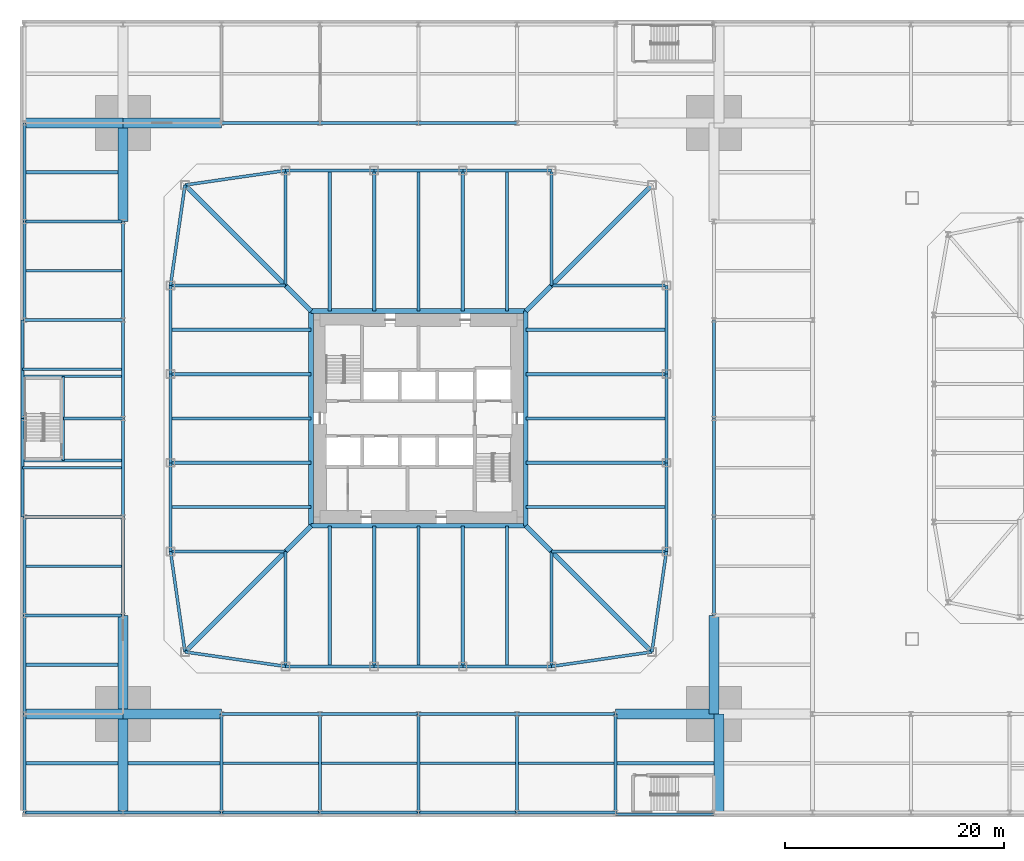
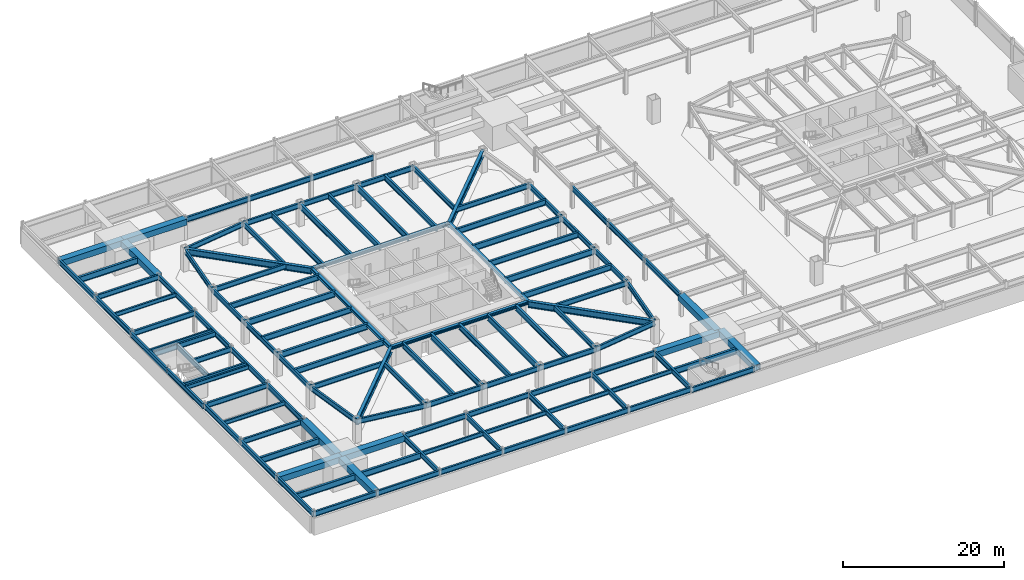
# One storey, part 6 of 17: 118 beams.
"""IFC4 building model written with IfcOpenShell, lengths in metres."""

from ifc_helpers import new_model, si_unit, direction, frame, origin, origin_2d, place, context, subcontext, project, spatial, hollow_rectangle, i_section, extrude, material, material_profile, profile_set, type_object, element, save


model = new_model("IFC4")

# Units and contexts
model_context = context("Model", 3, precision=1e-05, world=origin(), true_north=direction((0.0, 1.0)))
body_context = subcontext(model_context, "Body", "Model", "MODEL_VIEW")
ifc_project = project(units=[si_unit("LENGTHUNIT", "METRE"), si_unit("AREAUNIT", "SQUARE_METRE"), si_unit("VOLUMEUNIT", "CUBIC_METRE"), si_unit("PLANEANGLEUNIT", "RADIAN"), si_unit("MASSUNIT", "GRAM", prefix="KILO")], contexts=[model_context])

# Site, building, storey
site_placement = place(None, origin())
site = spatial("IfcSite", under=ifc_project, at=site_placement, CompositionType="ELEMENT")
building_placement = place(site_placement, origin())
building = spatial("IfcBuilding", under=site, at=building_placement, Name="Iwan Alto Co-Living Towers", CompositionType="ELEMENT")
storey_placement = place(building_placement, frame((0.0, 0.0, -3.60009765625)))
storey = spatial("IfcBuildingStorey", under=building, at=storey_placement, Name="B1", CompositionType="ELEMENT", Elevation=-3.60009765625)

# Beams
ifc_material_1 = material(Name="Steel ASTM A992 Gr 50", Category="steel")
ifc_material_profile_1 = material_profile(ifc_material_1, i_section(OverallWidth=0.2666015625, OverallDepth=0.76953125, WebThickness=0.015625, FlangeThickness=0.025390625, at=origin_2d()), Name="W30X132")
ifc_profile_set_1 = profile_set([ifc_material_profile_1], Name="Steel ASTM A992 Gr 50")
beam_type_1 = type_object("IfcBeamType", Name="PODIUM BEAM W30X132", PredefinedType="BEAM", material=ifc_profile_set_1)
beam_1_placement = place(storey_placement, frame((-27.0, 0.0, 2.96533203125), z_axis=(-1.0, 0.0, 0.0), x_axis=(0.0, -1.0, 0.0)))
element("IfcBeam", 1, at=beam_1_placement, inside=storey, type_object=beam_type_1, Name="Podium beam 2/E to stair header L00", PredefinedType="BEAM", context=body_context, shape_type="SweptSolid", body=[
    extrude(i_section(OverallWidth=0.2666015625, OverallDepth=0.76953125, WebThickness=0.015625, FlangeThickness=0.025390625, at=origin_2d()), origin(), (0.0, 0.0, 1.0), 5.446533203125),
])
ifc_material_2 = material(Name="Steel ASTM A992 Gr 50", Category="steel")
ifc_material_profile_2 = material_profile(ifc_material_2, i_section(OverallWidth=0.2666015625, OverallDepth=0.76953125, WebThickness=0.015625, FlangeThickness=0.025390625, at=origin_2d()), Name="W30X132")
ifc_profile_set_2 = profile_set([ifc_material_profile_2], Name="Steel ASTM A992 Gr 50")
beam_type_2 = type_object("IfcBeamType", Name="PODIUM GROUND FLOOR BEAM W30X132", PredefinedType="BEAM", material=ifc_profile_set_2)
for number, where, z_axis, x_axis, name in (
    (2, (-36.0, -36.0, 2.96533203125), (1.0, 0.0, 0.0), (0.0, 1.0, 0.0), "Podium beam 1/A-2/A L00"),
    (3, (-36.0, -36.0, 2.96533203125), (0.0, 1.0, 0.0), (-1.0, 0.0, 0.0), "Podium beam 1/A-1/B L00"),
    (4, (-36.0, -27.0, 2.96533203125), (0.0, 1.0, 0.0), (-1.0, 0.0, 0.0), "Podium beam 1/B-1/C L00"),
    (5, (-36.0, -18.0, 2.96533203125), (1.0, 0.0, 0.0), (0.0, 1.0, 0.0), "Podium beam 1/C-2/C L00"),
    (6, (-36.0, -18.0, 2.96533203125), (0.0, 1.0, 0.0), (-1.0, 0.0, 0.0), "Podium beam 1/C-1/D L00"),
    (7, (-36.0, -9.0, 2.96533203125), (1.0, 0.0, 0.0), (0.0, 1.0, 0.0), "Podium beam 1/D-2/D L00"),
    (8, (-36.1533203125, -9.0, 2.96533203125), (0.0, 1.0, 0.0), (-1.0, 0.0, 0.0), "Podium beam 1/D-1/E L00"),
    (9, (-36.1533203125, 0.0, 2.96533203125), (0.0, 1.0, 0.0), (-1.0, 0.0, 0.0), "Podium beam 1/E-1/F L00"),
    (10, (-36.0, 9.0, 2.96533203125), (1.0, 0.0, 0.0), (0.0, 1.0, 0.0), "Podium beam 1/F-2/F L00"),
    (11, (-36.0, 9.0, 2.96533203125), (0.0, 1.0, 0.0), (-1.0, 0.0, 0.0), "Podium beam 1/F-1/G L00"),
    (12, (-36.0, 18.0, 2.96533203125), (1.0, 0.0, 0.0), (0.0, 1.0, 0.0), "Podium beam 1/G-2/G L00"),
    (13, (-36.0, 18.0, 2.96533203125), (0.0, 1.0, 0.0), (-1.0, 0.0, 0.0), "Podium beam 1/G-1/H L00"),
    (14, (-27.0, -36.0, 2.96533203125), (1.0, 0.0, 0.0), (0.0, 1.0, 0.0), "Podium beam 2/A-3/A L00"),
    (15, (-27.0, -18.0, 2.96533203125), (0.0, 1.0, 0.0), (-1.0, 0.0, 0.0), "Podium beam 2/C-2/D L00"),
    (16, (-27.0, -9.0, 2.96533203125), (0.0, 1.0, 0.0), (-1.0, 0.0, 0.0), "Podium beam 2/D-2/E L00"),
    (17, (-27.0, 0.0, 2.96533203125), (0.0, 1.0, 0.0), (-1.0, 0.0, 0.0), "Podium beam 2/E-2/F L00"),
    (18, (-27.0, 9.0, 2.96533203125), (0.0, 1.0, 0.0), (-1.0, 0.0, 0.0), "Podium beam 2/F-2/G L00"),
    (19, (-18.0, -36.0, 2.96533203125), (1.0, 0.0, 0.0), (0.0, 1.0, 0.0), "Podium beam 3/A-4/A L00"),
    (20, (-18.0, -36.0, 2.96533203125), (0.0, 1.0, 0.0), (-1.0, 0.0, 0.0), "Podium beam 3/A-3/B L00"),
    (21, (-18.0, -27.0, 2.96533203125), (1.0, 0.0, 0.0), (0.0, 1.0, 0.0), "Podium beam 3/B-4/B L00"),
    (22, (-18.0, 27.0, 2.96533203125), (1.0, 0.0, 0.0), (0.0, 1.0, 0.0), "Podium beam 3/H-4/H L00"),
    (23, (-9.0, -36.0, 2.96533203125), (1.0, 0.0, 0.0), (0.0, 1.0, 0.0), "Podium beam 4/A-5/A L00"),
    (24, (-9.0, -36.0, 2.96533203125), (0.0, 1.0, 0.0), (-1.0, 0.0, 0.0), "Podium beam 4/A-4/B L00"),
    (25, (-9.0, -27.0, 2.96533203125), (1.0, 0.0, 0.0), (0.0, 1.0, 0.0), "Podium beam 4/B-5/B L00"),
    (26, (-9.0, 27.0, 2.96533203125), (1.0, 0.0, 0.0), (0.0, 1.0, 0.0), "Podium beam 4/H-5/H L00"),
    (27, (0.0, -36.0, 2.96533203125), (1.0, 0.0, 0.0), (0.0, 1.0, 0.0), "Podium beam 5/A-6/A L00"),
    (28, (0.0, -36.0, 2.96533203125), (0.0, 1.0, 0.0), (-1.0, 0.0, 0.0), "Podium beam 5/A-5/B L00"),
    (29, (0.0, -27.0, 2.96533203125), (1.0, 0.0, 0.0), (0.0, 1.0, 0.0), "Podium beam 5/B-6/B L00"),
    (30, (0.0, 27.0, 2.96533203125), (1.0, 0.0, 0.0), (0.0, 1.0, 0.0), "Podium beam 5/H-6/H L00"),
    (31, (9.0, -36.0, 2.96533203125), (1.0, 0.0, 0.0), (0.0, 1.0, 0.0), "Podium beam 6/A-7/A L00"),
    (32, (9.0, -36.0, 2.96533203125), (0.0, 1.0, 0.0), (-1.0, 0.0, 0.0), "Podium beam 6/A-6/B L00"),
    (33, (9.0, -27.0, 2.96533203125), (1.0, 0.0, 0.0), (0.0, 1.0, 0.0), "Podium beam 6/B-7/B L00"),
    (34, (18.0, -36.1533203125, 2.96533203125), (1.0, 0.0, 0.0), (0.0, 1.0, 0.0), "Podium beam 7/A-8/A L00"),
    (35, (18.0, -36.0, 2.96533203125), (0.0, 1.0, 0.0), (-1.0, 0.0, 0.0), "Podium beam 7/A-7/B L00"),
    (36, (27.0, -18.0, 2.96533203125), (0.0, 1.0, 0.0), (-1.0, 0.0, 0.0), "Podium beam 8/C-8/D L00"),
    (37, (27.0, -9.0, 2.96533203125), (0.0, 1.0, 0.0), (-1.0, 0.0, 0.0), "Podium beam 8/D-8/E L00"),
    (38, (27.0, 0.0, 2.96533203125), (0.0, 1.0, 0.0), (-1.0, 0.0, 0.0), "Podium beam 8/E-8/F L00"),
):
    element("IfcBeam", number, at=place(storey_placement, frame(where, z_axis=z_axis, x_axis=x_axis)), inside=storey, type_object=beam_type_2, Name=name, PredefinedType="BEAM", context=body_context, shape_type="SweptSolid", body=[
        extrude(i_section(OverallWidth=0.2666015625, OverallDepth=0.76953125, WebThickness=0.015625, FlangeThickness=0.025390625, at=origin_2d()), origin(), (0.0, 0.0, 1.0), 9.0),
    ])
ifc_material_3 = material(Name="Steel ASTM A992 Gr 50", Category="steel")
ifc_material_profile_3 = material_profile(ifc_material_3, i_section(OverallWidth=0.307373046875, OverallDepth=0.927001953125, WebThickness=0.01953125, FlangeThickness=0.031982421875, at=origin_2d()), Name="W36X194")
ifc_profile_set_3 = profile_set([ifc_material_profile_3], Name="Steel ASTM A992 Gr 50")
beam_type_3 = type_object("IfcBeamType", Name="PODIUM PIER BAY SECONDARY BEAM W36X194", PredefinedType="JOIST", material=ifc_profile_set_3)
for number, where, z_axis, x_axis, name in (
    (39, (-35.86669921875, -31.5, 2.886474609375), (1.0, 0.0, 0.0), (0.0, 1.0, 0.0), "Podium secondary beam 1/A L00"),
    (40, (-35.86669921875, -22.5, 2.886474609375), (1.0, 0.0, 0.0), (0.0, 1.0, 0.0), "Podium secondary beam 1/B L00"),
    (41, (-35.86669921875, 22.5, 2.886474609375), (1.0, 0.0, 0.0), (0.0, 1.0, 0.0), "Podium secondary beam 1/G L00"),
    (42, (-26.550048828125, -31.5, 2.886474609375), (1.0, 0.0, 0.0), (0.0, 1.0, 0.0), "Podium secondary beam 2/A L00"),
):
    element("IfcBeam", number, at=place(storey_placement, frame(where, z_axis=z_axis, x_axis=x_axis)), inside=storey, type_object=beam_type_3, Name=name, PredefinedType="JOIST", context=body_context, shape_type="SweptSolid", body=[
        extrude(i_section(OverallWidth=0.307373046875, OverallDepth=0.927001953125, WebThickness=0.01953125, FlangeThickness=0.031982421875, at=origin_2d()), origin(), (0.0, 0.0, 1.0), 8.416748046875),
    ])
beam_2_placement = place(storey_placement, frame((18.13330078125, -31.5, 2.886474609375), z_axis=(1.0, 0.0, 0.0), x_axis=(0.0, 1.0, 0.0)))
element("IfcBeam", 43, at=beam_2_placement, inside=storey, type_object=beam_type_3, Name="Podium secondary beam 7/A L00", PredefinedType="JOIST", context=body_context, shape_type="SweptSolid", body=[
    extrude(i_section(OverallWidth=0.307373046875, OverallDepth=0.927001953125, WebThickness=0.01953125, FlangeThickness=0.031982421875, at=origin_2d()), origin(), (0.0, 0.0, 1.0), 8.88671875),
])
ifc_material_4 = material(Name="Steel ASTM A572 Gr 50", Category="steel")
ifc_material_profile_4 = material_profile(ifc_material_4, hollow_rectangle(XDim=0.89990234375, YDim=0.89990234375, WallThickness=0.06005859375, at=origin_2d()), Name="BOX 900X900X60")
ifc_profile_set_4 = profile_set([ifc_material_profile_4], Name="Steel ASTM A572 Gr 50")
beam_type_4 = type_object("IfcBeamType", Name="PODIUM PIER BEAM BOX 900X900X60", PredefinedType="BEAM", material=ifc_profile_set_4)
for number, where, z_axis, x_axis, name in (
    (44, (-36.0, -27.0, 2.900146484375), (1.0, 0.0, 0.0), (0.0, 1.0, 0.0), "Podium beam 1/B-2/B L00"),
    (45, (-36.0, 27.0, 2.900146484375), (1.0, 0.0, 0.0), (0.0, 1.0, 0.0), "Podium beam 1/H-2/H L00"),
    (46, (-27.0, -36.0, 2.900146484375), (0.0, 1.0, 0.0), (-1.0, 0.0, 0.0), "Podium beam 2/A-2/B L00"),
    (47, (-27.0, -27.0, 2.900146484375), (1.0, 0.0, 0.0), (0.0, 1.0, 0.0), "Podium beam 2/B-3/B L00"),
    (48, (-27.0, -27.0, 2.900146484375), (0.0, 1.0, 0.0), (-1.0, 0.0, 0.0), "Podium beam 2/B-2/C L00"),
    (49, (-27.0, 18.0, 2.900146484375), (0.0, 1.0, 0.0), (-1.0, 0.0, 0.0), "Podium beam 2/G-2/H L00"),
    (50, (-27.0, 27.0, 2.900146484375), (1.0, 0.0, 0.0), (0.0, 1.0, 0.0), "Podium beam 2/H-3/H L00"),
    (51, (18.0, -27.0, 2.900146484375), (1.0, 0.0, 0.0), (0.0, 1.0, 0.0), "Podium beam 7/B-8/B L00"),
    (52, (27.469970703125, -36.0, 2.900146484375), (0.0, 1.0, 0.0), (-1.0, 0.0, 0.0), "Podium beam 8/A-8/B L00"),
    (53, (27.0, -27.0, 2.900146484375), (0.0, 1.0, 0.0), (-1.0, 0.0, 0.0), "Podium beam 8/B-8/C L00"),
):
    element("IfcBeam", number, at=place(storey_placement, frame(where, z_axis=z_axis, x_axis=x_axis)), inside=storey, type_object=beam_type_4, Name=name, PredefinedType="BEAM", context=body_context, shape_type="SweptSolid", body=[
        extrude(hollow_rectangle(XDim=0.89990234375, YDim=0.89990234375, WallThickness=0.06005859375, at=origin_2d()), origin(), (0.0, 0.0, 1.0), 9.0),
    ])
ifc_material_5 = material(Name="Steel ASTM A992 Gr 50", Category="steel")
ifc_material_profile_5 = material_profile(ifc_material_5, i_section(OverallWidth=0.23046875, OverallDepth=0.6171875, WebThickness=0.01318359375, FlangeThickness=0.022216796875, at=origin_2d()), Name="W24X94")
ifc_profile_set_5 = profile_set([ifc_material_profile_5], Name="Steel ASTM A992 Gr 50")
beam_type_5 = type_object("IfcBeamType", Name="PODIUM SECONDARY BEAM W24X94", PredefinedType="JOIST", material=ifc_profile_set_5)
beam_3_placement = place(storey_placement, frame((-35.86669921875, -13.5, 3.04150390625), z_axis=(1.0, 0.0, 0.0), x_axis=(0.0, 1.0, 0.0)))
element("IfcBeam", 54, at=beam_3_placement, inside=storey, type_object=beam_type_5, Name="Podium secondary beam 1/C L00", PredefinedType="JOIST", context=body_context, shape_type="SweptSolid", body=[
    extrude(i_section(OverallWidth=0.23046875, OverallDepth=0.6171875, WebThickness=0.01318359375, FlangeThickness=0.022216796875, at=origin_2d()), origin(), (0.0, 0.0, 1.0), 8.7333984375),
])
for number, where, z_axis, x_axis, name in (
    (55, (-36.1533203125, -4.5, 3.04150390625), (1.0, 0.0, 0.0), (0.0, 1.0, 0.0), "Podium secondary beam 1/D L00"),
    (56, (-36.1533203125, 4.5, 3.04150390625), (1.0, 0.0, 0.0), (0.0, 1.0, 0.0), "Podium secondary beam 1/E L00"),
):
    element("IfcBeam", number, at=place(storey_placement, frame(where, z_axis=z_axis, x_axis=x_axis)), inside=storey, type_object=beam_type_5, Name=name, PredefinedType="JOIST", context=body_context, shape_type="SweptSolid", body=[
        extrude(i_section(OverallWidth=0.23046875, OverallDepth=0.6171875, WebThickness=0.01318359375, FlangeThickness=0.022216796875, at=origin_2d()), origin(), (0.0, 0.0, 1.0), 9.02001953125),
    ])
for number, where, z_axis, x_axis, name in (
    (57, (-35.86669921875, 13.5, 3.04150390625), (1.0, 0.0, 0.0), (0.0, 1.0, 0.0), "Podium secondary beam 1/F L00"),
    (58, (-17.86669921875, -31.5, 3.04150390625), (1.0, 0.0, 0.0), (0.0, 1.0, 0.0), "Podium secondary beam 3/A L00"),
    (59, (-8.86669921875, -31.5, 3.04150390625), (1.0, 0.0, 0.0), (0.0, 1.0, 0.0), "Podium secondary beam 4/A L00"),
    (60, (0.13330078125, -31.5, 3.04150390625), (1.0, 0.0, 0.0), (0.0, 1.0, 0.0), "Podium secondary beam 5/A L00"),
    (61, (9.13330078125, -31.5, 3.04150390625), (1.0, 0.0, 0.0), (0.0, 1.0, 0.0), "Podium secondary beam 6/A L00"),
):
    element("IfcBeam", number, at=place(storey_placement, frame(where, z_axis=z_axis, x_axis=x_axis)), inside=storey, type_object=beam_type_5, Name=name, PredefinedType="JOIST", context=body_context, shape_type="SweptSolid", body=[
        extrude(i_section(OverallWidth=0.23046875, OverallDepth=0.6171875, WebThickness=0.01318359375, FlangeThickness=0.022216796875, at=origin_2d()), origin(), (0.0, 0.0, 1.0), 8.7333984375),
    ])
ifc_material_6 = material(Name="Steel ASTM A992 Gr 50", Category="steel")
ifc_material_profile_6 = material_profile(ifc_material_6, i_section(OverallWidth=0.2666015625, OverallDepth=0.76953125, WebThickness=0.015625, FlangeThickness=0.025390625, at=origin_2d()), Name="W30X132")
ifc_profile_set_6 = profile_set([ifc_material_profile_6], Name="Steel ASTM A992 Gr 50")
beam_type_6 = type_object("IfcBeamType", Name="PODIUM STAIR HEADER BEAM W30X132", PredefinedType="BEAM", material=ifc_profile_set_6)
beam_4_placement = place(storey_placement, frame((-32.446533203125, -3.853271484375, 2.96533203125), z_axis=(0.0, 1.0, 0.0), x_axis=(-1.0, 0.0, 0.0)))
element("IfcBeam", 62, at=beam_4_placement, inside=storey, type_object=beam_type_6, Name="Podium stair header 1/E-2/E L00", PredefinedType="BEAM", context=body_context, shape_type="SweptSolid", body=[
    extrude(i_section(OverallWidth=0.2666015625, OverallDepth=0.76953125, WebThickness=0.015625, FlangeThickness=0.025390625, at=origin_2d()), origin(), (0.0, 0.0, 1.0), 7.70654296875),
])
ifc_material_7 = material(Name="Steel ASTM A992 Gr 50", Category="steel")
ifc_material_profile_7 = material_profile(ifc_material_7, i_section(OverallWidth=0.2666015625, OverallDepth=0.76953125, WebThickness=0.015625, FlangeThickness=0.025390625, at=origin_2d()), Name="W30X132")
ifc_profile_set_7 = profile_set([ifc_material_profile_7], Name="Steel ASTM A992 Gr 50")
beam_type_7 = type_object("IfcBeamType", Name="PODIUM STAIR TRIMMER BEAM W30X132", PredefinedType="BEAM", material=ifc_profile_set_7)
for number, where, z_axis, x_axis, name in (
    (63, (-36.1533203125, -3.853271484375, 2.96533203125), (1.0, 0.0, 0.0), (0.0, 1.0, 0.0), "Podium stair trimmer 1/E-2/E S L00"),
    (64, (-36.1533203125, 3.853271484375, 2.96533203125), (1.0, 0.0, 0.0), (0.0, 1.0, 0.0), "Podium stair trimmer 1/E-2/E N L00"),
):
    element("IfcBeam", number, at=place(storey_placement, frame(where, z_axis=z_axis, x_axis=x_axis)), inside=storey, type_object=beam_type_7, Name=name, PredefinedType="BEAM", context=body_context, shape_type="SweptSolid", body=[
        extrude(i_section(OverallWidth=0.2666015625, OverallDepth=0.76953125, WebThickness=0.015625, FlangeThickness=0.025390625, at=origin_2d()), origin(), (0.0, 0.0, 1.0), 9.1533203125),
    ])
ifc_material_8 = material(Name="Steel ASTM A992 Gr 50", Category="steel")
ifc_material_profile_8 = material_profile(ifc_material_8, i_section(OverallWidth=0.424072265625, OverallDepth=0.47509765625, WebThickness=0.0478515625, FlangeThickness=0.0771484375, at=origin_2d()), Name="W14X426")
ifc_profile_set_8 = profile_set([ifc_material_profile_8], Name="Steel ASTM A992 Gr 50")
beam_type_8 = type_object("IfcBeamType", Name="T1 CORE LEDGER BEAM W14X426", PredefinedType="BEAM", material=ifc_profile_set_8)
for number, where, z_axis, x_axis, name in (
    (65, (-9.81201171875, -9.81201171875, 3.112548828125), (1.0, 0.0, 0.0), (0.0, 1.0, 0.0), "T1 core ledger beam S L00"),
    (66, (9.81201171875, -9.81201171875, 3.112548828125), (0.0, 1.0, 0.0), (-1.0, 0.0, 0.0), "T1 core ledger beam E L00"),
    (67, (9.81201171875, 9.81201171875, 3.112548828125), (-1.0, 0.0, 0.0), (0.0, -1.0, 0.0), "T1 core ledger beam N L00"),
    (68, (-9.81201171875, 9.81201171875, 3.112548828125), (0.0, -1.0, 0.0), (1.0, 0.0, 0.0), "T1 core ledger beam W L00"),
):
    element("IfcBeam", number, at=place(storey_placement, frame(where, z_axis=z_axis, x_axis=x_axis)), inside=storey, type_object=beam_type_8, Name=name, PredefinedType="BEAM", context=body_context, shape_type="SweptSolid", body=[
        extrude(i_section(OverallWidth=0.424072265625, OverallDepth=0.47509765625, WebThickness=0.0478515625, FlangeThickness=0.0771484375, at=origin_2d()), origin(), (0.0, 0.0, 1.0), 19.6240234375),
    ])
ifc_material_9 = material(Name="Steel ASTM A992 Gr 50", Category="steel")
ifc_material_profile_9 = material_profile(ifc_material_9, i_section(OverallWidth=0.424072265625, OverallDepth=0.947509765625, WebThickness=0.02392578125, FlangeThickness=0.042724609375, at=origin_2d()), Name="W36X302")
ifc_profile_set_9 = profile_set([ifc_material_profile_9], Name="Steel ASTM A992 Gr 50")
beam_type_9 = type_object("IfcBeamType", Name="T1 CORNER GIRDER W36X302", PredefinedType="BEAM", material=ifc_profile_set_9)
for number, where, z_axis, x_axis, name in (
    (69, (-21.32568359375, -21.32568359375, 2.87646484375), (0.707106781187, 0.707106781187, 0.0), (-0.707106781187, 0.707106781187, 0.0), "T1 corner girder CSW L00"),
    (70, (21.32568359375, -21.32568359375, 2.87646484375), (-0.707106781187, 0.707106781187, 0.0), (-0.707106781187, -0.707106781187, 0.0), "T1 corner girder CSE L00"),
    (71, (21.32568359375, 21.32568359375, 2.87646484375), (-0.707106781187, -0.707106781187, 0.0), (0.707106781187, -0.707106781187, 0.0), "T1 corner girder CNE L00"),
    (72, (-21.32568359375, 21.32568359375, 2.87646484375), (0.707106781187, -0.707106781187, 0.0), (0.707106781187, 0.707106781187, 0.0), "T1 corner girder CNW L00"),
):
    element("IfcBeam", number, at=place(storey_placement, frame(where, z_axis=z_axis, x_axis=x_axis)), inside=storey, type_object=beam_type_9, Name=name, PredefinedType="BEAM", context=body_context, shape_type="SweptSolid", body=[
        extrude(i_section(OverallWidth=0.424072265625, OverallDepth=0.947509765625, WebThickness=0.02392578125, FlangeThickness=0.042724609375, at=origin_2d()), origin(), (0.0, 0.0, 1.0), 16.28271484375),
    ])
ifc_material_10 = material(Name="Steel ASTM A992 Gr 50", Category="steel")
ifc_material_profile_10 = material_profile(ifc_material_10, i_section(OverallWidth=0.2666015625, OverallDepth=0.761962890625, WebThickness=0.014404296875, FlangeThickness=0.021484375, at=origin_2d()), Name="W30X116")
ifc_profile_set_10 = profile_set([ifc_material_profile_10], Name="Steel ASTM A992 Gr 50")
beam_type_10 = type_object("IfcBeamType", Name="T1 EDGE BEAM W30X116", PredefinedType="BEAM", material=ifc_profile_set_10)
beam_5_placement = place(storey_placement, frame((-21.32568359375, -21.32568359375, 2.968994140625), z_axis=(0.989746234347, -0.142836940589, 0.0), x_axis=(0.142836940589, 0.989746234347, 0.0)))
element("IfcBeam", 73, at=beam_5_placement, inside=storey, type_object=beam_type_10, Name="T1 edge beam CSW L00", PredefinedType="BEAM", context=body_context, shape_type="SweptSolid", body=[
    extrude(i_section(OverallWidth=0.2666015625, OverallDepth=0.761962890625, WebThickness=0.014404296875, FlangeThickness=0.021484375, at=origin_2d()), origin(), (0.0, 0.0, 1.0), 9.270751953125),
])
beam_6_placement = place(storey_placement, frame((-12.14990234375, -22.64990234375, 2.968994140625), z_axis=(1.0, 0.0, 0.0), x_axis=(0.0, 1.0, 0.0)))
element("IfcBeam", 74, at=beam_6_placement, inside=storey, type_object=beam_type_10, Name="T1 edge beam S1 L00", PredefinedType="BEAM", context=body_context, shape_type="SweptSolid", body=[
    extrude(i_section(OverallWidth=0.2666015625, OverallDepth=0.761962890625, WebThickness=0.014404296875, FlangeThickness=0.021484375, at=origin_2d()), origin(), (0.0, 0.0, 1.0), 8.099853515625),
])
beam_7_placement = place(storey_placement, frame((-4.050048828125, -22.64990234375, 2.968994140625), z_axis=(1.0, 0.0, 0.0), x_axis=(0.0, 1.0, 0.0)))
element("IfcBeam", 75, at=beam_7_placement, inside=storey, type_object=beam_type_10, Name="T1 edge beam S2 L00", PredefinedType="BEAM", context=body_context, shape_type="SweptSolid", body=[
    extrude(i_section(OverallWidth=0.2666015625, OverallDepth=0.761962890625, WebThickness=0.014404296875, FlangeThickness=0.021484375, at=origin_2d()), origin(), (0.0, 0.0, 1.0), 8.10009765625),
])
beam_8_placement = place(storey_placement, frame((4.050048828125, -22.64990234375, 2.968994140625), z_axis=(1.0, 0.0, 0.0), x_axis=(0.0, 1.0, 0.0)))
element("IfcBeam", 76, at=beam_8_placement, inside=storey, type_object=beam_type_10, Name="T1 edge beam S3 L00", PredefinedType="BEAM", context=body_context, shape_type="SweptSolid", body=[
    extrude(i_section(OverallWidth=0.2666015625, OverallDepth=0.761962890625, WebThickness=0.014404296875, FlangeThickness=0.021484375, at=origin_2d()), origin(), (0.0, 0.0, 1.0), 8.099853515625),
])
for number, where, z_axis, x_axis, name in (
    (77, (12.14990234375, -22.64990234375, 2.968994140625), (0.989746234347, 0.142836940589, 0.0), (-0.142836940589, 0.989746234347, 0.0), "T1 edge beam S4 L00"),
    (78, (21.32568359375, -21.32568359375, 2.968994140625), (0.142836940589, 0.989746234347, 0.0), (-0.989746234347, 0.142836940589, 0.0), "T1 edge beam CSE L00"),
):
    element("IfcBeam", number, at=place(storey_placement, frame(where, z_axis=z_axis, x_axis=x_axis)), inside=storey, type_object=beam_type_10, Name=name, PredefinedType="BEAM", context=body_context, shape_type="SweptSolid", body=[
        extrude(i_section(OverallWidth=0.2666015625, OverallDepth=0.761962890625, WebThickness=0.014404296875, FlangeThickness=0.021484375, at=origin_2d()), origin(), (0.0, 0.0, 1.0), 9.270751953125),
    ])
beam_9_placement = place(storey_placement, frame((22.64990234375, -12.14990234375, 2.968994140625), z_axis=(0.0, 1.0, 0.0), x_axis=(-1.0, 0.0, 0.0)))
element("IfcBeam", 79, at=beam_9_placement, inside=storey, type_object=beam_type_10, Name="T1 edge beam E1 L00", PredefinedType="BEAM", context=body_context, shape_type="SweptSolid", body=[
    extrude(i_section(OverallWidth=0.2666015625, OverallDepth=0.761962890625, WebThickness=0.014404296875, FlangeThickness=0.021484375, at=origin_2d()), origin(), (0.0, 0.0, 1.0), 8.099853515625),
])
beam_10_placement = place(storey_placement, frame((22.64990234375, -4.050048828125, 2.968994140625), z_axis=(0.0, 1.0, 0.0), x_axis=(-1.0, 0.0, 0.0)))
element("IfcBeam", 80, at=beam_10_placement, inside=storey, type_object=beam_type_10, Name="T1 edge beam E2 L00", PredefinedType="BEAM", context=body_context, shape_type="SweptSolid", body=[
    extrude(i_section(OverallWidth=0.2666015625, OverallDepth=0.761962890625, WebThickness=0.014404296875, FlangeThickness=0.021484375, at=origin_2d()), origin(), (0.0, 0.0, 1.0), 8.10009765625),
])
for number, where, z_axis, x_axis, name in (
    (81, (22.64990234375, 4.050048828125, 2.968994140625), (0.0, 1.0, 0.0), (-1.0, 0.0, 0.0), "T1 edge beam E3 L00"),
    (82, (12.14990234375, 22.64990234375, 2.968994140625), (-1.0, 0.0, 0.0), (0.0, -1.0, 0.0), "T1 edge beam N1 L00"),
):
    element("IfcBeam", number, at=place(storey_placement, frame(where, z_axis=z_axis, x_axis=x_axis)), inside=storey, type_object=beam_type_10, Name=name, PredefinedType="BEAM", context=body_context, shape_type="SweptSolid", body=[
        extrude(i_section(OverallWidth=0.2666015625, OverallDepth=0.761962890625, WebThickness=0.014404296875, FlangeThickness=0.021484375, at=origin_2d()), origin(), (0.0, 0.0, 1.0), 8.099853515625),
    ])
beam_11_placement = place(storey_placement, frame((4.050048828125, 22.64990234375, 2.968994140625), z_axis=(-1.0, 0.0, 0.0), x_axis=(0.0, -1.0, 0.0)))
element("IfcBeam", 83, at=beam_11_placement, inside=storey, type_object=beam_type_10, Name="T1 edge beam N2 L00", PredefinedType="BEAM", context=body_context, shape_type="SweptSolid", body=[
    extrude(i_section(OverallWidth=0.2666015625, OverallDepth=0.761962890625, WebThickness=0.014404296875, FlangeThickness=0.021484375, at=origin_2d()), origin(), (0.0, 0.0, 1.0), 8.10009765625),
])
beam_12_placement = place(storey_placement, frame((-4.050048828125, 22.64990234375, 2.968994140625), z_axis=(-1.0, 0.0, 0.0), x_axis=(0.0, -1.0, 0.0)))
element("IfcBeam", 84, at=beam_12_placement, inside=storey, type_object=beam_type_10, Name="T1 edge beam N3 L00", PredefinedType="BEAM", context=body_context, shape_type="SweptSolid", body=[
    extrude(i_section(OverallWidth=0.2666015625, OverallDepth=0.761962890625, WebThickness=0.014404296875, FlangeThickness=0.021484375, at=origin_2d()), origin(), (0.0, 0.0, 1.0), 8.099853515625),
])
for number, where, z_axis, x_axis, name in (
    (85, (-12.14990234375, 22.64990234375, 2.968994140625), (-0.989746234347, -0.142836940589, 0.0), (0.142836940589, -0.989746234347, 0.0), "T1 edge beam N4 L00"),
    (86, (-21.32568359375, 21.32568359375, 2.968994140625), (-0.142836940589, -0.989746234347, 0.0), (0.989746234347, -0.142836940589, 0.0), "T1 edge beam CNW L00"),
):
    element("IfcBeam", number, at=place(storey_placement, frame(where, z_axis=z_axis, x_axis=x_axis)), inside=storey, type_object=beam_type_10, Name=name, PredefinedType="BEAM", context=body_context, shape_type="SweptSolid", body=[
        extrude(i_section(OverallWidth=0.2666015625, OverallDepth=0.761962890625, WebThickness=0.014404296875, FlangeThickness=0.021484375, at=origin_2d()), origin(), (0.0, 0.0, 1.0), 9.270751953125),
    ])
beam_13_placement = place(storey_placement, frame((-22.64990234375, 12.14990234375, 2.968994140625), z_axis=(0.0, -1.0, 0.0), x_axis=(1.0, 0.0, 0.0)))
element("IfcBeam", 87, at=beam_13_placement, inside=storey, type_object=beam_type_10, Name="T1 edge beam W1 L00", PredefinedType="BEAM", context=body_context, shape_type="SweptSolid", body=[
    extrude(i_section(OverallWidth=0.2666015625, OverallDepth=0.761962890625, WebThickness=0.014404296875, FlangeThickness=0.021484375, at=origin_2d()), origin(), (0.0, 0.0, 1.0), 8.099853515625),
])
beam_14_placement = place(storey_placement, frame((-22.64990234375, 4.050048828125, 2.968994140625), z_axis=(0.0, -1.0, 0.0), x_axis=(1.0, 0.0, 0.0)))
element("IfcBeam", 88, at=beam_14_placement, inside=storey, type_object=beam_type_10, Name="T1 edge beam W2 L00", PredefinedType="BEAM", context=body_context, shape_type="SweptSolid", body=[
    extrude(i_section(OverallWidth=0.2666015625, OverallDepth=0.761962890625, WebThickness=0.014404296875, FlangeThickness=0.021484375, at=origin_2d()), origin(), (0.0, 0.0, 1.0), 8.10009765625),
])
beam_15_placement = place(storey_placement, frame((-22.64990234375, -4.050048828125, 2.968994140625), z_axis=(0.0, -1.0, 0.0), x_axis=(1.0, 0.0, 0.0)))
element("IfcBeam", 89, at=beam_15_placement, inside=storey, type_object=beam_type_10, Name="T1 edge beam W3 L00", PredefinedType="BEAM", context=body_context, shape_type="SweptSolid", body=[
    extrude(i_section(OverallWidth=0.2666015625, OverallDepth=0.761962890625, WebThickness=0.014404296875, FlangeThickness=0.021484375, at=origin_2d()), origin(), (0.0, 0.0, 1.0), 8.099853515625),
])
beam_16_placement = place(storey_placement, frame((-22.64990234375, -12.14990234375, 2.968994140625), z_axis=(0.142836940589, -0.989746234347, 0.0), x_axis=(0.989746234347, 0.142836940589, 0.0)))
element("IfcBeam", 90, at=beam_16_placement, inside=storey, type_object=beam_type_10, Name="T1 edge beam W4 L00", PredefinedType="BEAM", context=body_context, shape_type="SweptSolid", body=[
    extrude(i_section(OverallWidth=0.2666015625, OverallDepth=0.761962890625, WebThickness=0.014404296875, FlangeThickness=0.021484375, at=origin_2d()), origin(), (0.0, 0.0, 1.0), 9.270751953125),
])
ifc_material_11 = material(Name="Steel ASTM A992 Gr 50", Category="steel")
ifc_material_profile_11 = material_profile(ifc_material_11, i_section(OverallWidth=0.2666015625, OverallDepth=0.761962890625, WebThickness=0.014404296875, FlangeThickness=0.021484375, at=origin_2d()), Name="W30X116")
ifc_profile_set_11 = profile_set([ifc_material_profile_11], Name="Steel ASTM A992 Gr 50")
beam_type_11 = type_object("IfcBeamType", Name="T1 RADIAL BEAM W30X116", PredefinedType="BEAM", material=ifc_profile_set_11)
for number, where, z_axis, x_axis, name in (
    (91, (-12.14990234375, -22.64990234375, 2.968994140625), (0.0, 1.0, 0.0), (-1.0, 0.0, 0.0), "T1 radial beam S1 L00"),
    (92, (12.14990234375, -22.64990234375, 2.968994140625), (0.0, 1.0, 0.0), (-1.0, 0.0, 0.0), "T1 radial beam S4 L00"),
    (93, (22.64990234375, -12.14990234375, 2.968994140625), (-1.0, 0.0, 0.0), (0.0, -1.0, 0.0), "T1 radial beam E1 L00"),
    (94, (22.64990234375, 12.14990234375, 2.968994140625), (-1.0, 0.0, 0.0), (0.0, -1.0, 0.0), "T1 radial beam E4 L00"),
    (95, (12.14990234375, 22.64990234375, 2.968994140625), (0.0, -1.0, 0.0), (1.0, 0.0, 0.0), "T1 radial beam N1 L00"),
    (96, (-12.14990234375, 22.64990234375, 2.968994140625), (0.0, -1.0, 0.0), (1.0, 0.0, 0.0), "T1 radial beam N4 L00"),
    (97, (-22.64990234375, 12.14990234375, 2.968994140625), (1.0, 0.0, 0.0), (0.0, 1.0, 0.0), "T1 radial beam W1 L00"),
    (98, (-22.64990234375, -12.14990234375, 2.968994140625), (1.0, 0.0, 0.0), (0.0, 1.0, 0.0), "T1 radial beam W4 L00"),
):
    element("IfcBeam", number, at=place(storey_placement, frame(where, z_axis=z_axis, x_axis=x_axis)), inside=storey, type_object=beam_type_11, Name=name, PredefinedType="BEAM", context=body_context, shape_type="SweptSolid", body=[
        extrude(i_section(OverallWidth=0.2666015625, OverallDepth=0.761962890625, WebThickness=0.014404296875, FlangeThickness=0.021484375, at=origin_2d()), origin(), (0.0, 0.0, 1.0), 10.5),
    ])
ifc_material_12 = material(Name="Steel ASTM A992 Gr 50", Category="steel")
ifc_material_profile_12 = material_profile(ifc_material_12, i_section(OverallWidth=0.3046875, OverallDepth=0.911865234375, WebThickness=0.015869140625, FlangeThickness=0.02392578125, at=origin_2d()), Name="W36X150")
ifc_profile_set_12 = profile_set([ifc_material_profile_12], Name="Steel ASTM A992 Gr 50")
beam_type_12 = type_object("IfcBeamType", Name="T1 RADIAL BEAM W36X150", PredefinedType="BEAM", material=ifc_profile_set_12)
for number, where, z_axis, x_axis, name in (
    (99, (-4.050048828125, -22.64990234375, 2.894287109375), (0.0, 1.0, 0.0), (-1.0, 0.0, 0.0), "T1 radial beam S2 L00"),
    (100, (4.050048828125, -22.64990234375, 2.894287109375), (0.0, 1.0, 0.0), (-1.0, 0.0, 0.0), "T1 radial beam S3 L00"),
    (101, (22.64990234375, -4.050048828125, 2.894287109375), (-1.0, 0.0, 0.0), (0.0, -1.0, 0.0), "T1 radial beam E2 L00"),
    (102, (22.64990234375, 4.050048828125, 2.894287109375), (-1.0, 0.0, 0.0), (0.0, -1.0, 0.0), "T1 radial beam E3 L00"),
    (103, (4.050048828125, 22.64990234375, 2.894287109375), (0.0, -1.0, 0.0), (1.0, 0.0, 0.0), "T1 radial beam N2 L00"),
    (104, (-4.050048828125, 22.64990234375, 2.894287109375), (0.0, -1.0, 0.0), (1.0, 0.0, 0.0), "T1 radial beam N3 L00"),
    (105, (-22.64990234375, 4.050048828125, 2.894287109375), (1.0, 0.0, 0.0), (0.0, 1.0, 0.0), "T1 radial beam W2 L00"),
    (106, (-22.64990234375, -4.050048828125, 2.894287109375), (1.0, 0.0, 0.0), (0.0, 1.0, 0.0), "T1 radial beam W3 L00"),
):
    element("IfcBeam", number, at=place(storey_placement, frame(where, z_axis=z_axis, x_axis=x_axis)), inside=storey, type_object=beam_type_12, Name=name, PredefinedType="BEAM", context=body_context, shape_type="SweptSolid", body=[
        extrude(i_section(OverallWidth=0.3046875, OverallDepth=0.911865234375, WebThickness=0.015869140625, FlangeThickness=0.02392578125, at=origin_2d()), origin(), (0.0, 0.0, 1.0), 12.837890625),
    ])
ifc_material_13 = material(Name="Steel ASTM A992 Gr 50", Category="steel")
ifc_material_profile_13 = material_profile(ifc_material_13, i_section(OverallWidth=0.2919921875, OverallDepth=0.8408203125, WebThickness=0.0146484375, FlangeThickness=0.021728515625, at=origin_2d()), Name="W33X130")
ifc_profile_set_13 = profile_set([ifc_material_profile_13], Name="Steel ASTM A992 Gr 50")
beam_type_13 = type_object("IfcBeamType", Name="T1 SECONDARY BEAM W33X130", PredefinedType="JOIST", material=ifc_profile_set_13)
for number, where, z_axis, x_axis, name in (
    (107, (-8.10009765625, -22.64990234375, 2.9296875), (0.0, 1.0, 0.0), (-1.0, 0.0, 0.0), "T1 secondary beam S1 L00"),
    (108, (0.0, -22.64990234375, 2.9296875), (0.0, 1.0, 0.0), (-1.0, 0.0, 0.0), "T1 secondary beam S2 L00"),
    (109, (8.10009765625, -22.64990234375, 2.9296875), (0.0, 1.0, 0.0), (-1.0, 0.0, 0.0), "T1 secondary beam S3 L00"),
    (110, (22.64990234375, -8.10009765625, 2.9296875), (-1.0, 0.0, 0.0), (0.0, -1.0, 0.0), "T1 secondary beam E1 L00"),
    (111, (22.64990234375, 0.0, 2.9296875), (-1.0, 0.0, 0.0), (0.0, -1.0, 0.0), "T1 secondary beam E2 L00"),
    (112, (22.64990234375, 8.10009765625, 2.9296875), (-1.0, 0.0, 0.0), (0.0, -1.0, 0.0), "T1 secondary beam E3 L00"),
    (113, (8.10009765625, 22.64990234375, 2.9296875), (0.0, -1.0, 0.0), (1.0, 0.0, 0.0), "T1 secondary beam N1 L00"),
    (114, (0.0, 22.64990234375, 2.9296875), (0.0, -1.0, 0.0), (1.0, 0.0, 0.0), "T1 secondary beam N2 L00"),
    (115, (-8.10009765625, 22.64990234375, 2.9296875), (0.0, -1.0, 0.0), (1.0, 0.0, 0.0), "T1 secondary beam N3 L00"),
    (116, (-22.64990234375, 8.10009765625, 2.9296875), (1.0, 0.0, 0.0), (0.0, 1.0, 0.0), "T1 secondary beam W1 L00"),
    (117, (-22.64990234375, 0.0, 2.9296875), (1.0, 0.0, 0.0), (0.0, 1.0, 0.0), "T1 secondary beam W2 L00"),
    (118, (-22.64990234375, -8.10009765625, 2.9296875), (1.0, 0.0, 0.0), (0.0, 1.0, 0.0), "T1 secondary beam W3 L00"),
):
    element("IfcBeam", number, at=place(storey_placement, frame(where, z_axis=z_axis, x_axis=x_axis)), inside=storey, type_object=beam_type_13, Name=name, PredefinedType="JOIST", context=body_context, shape_type="SweptSolid", body=[
        extrude(i_section(OverallWidth=0.2919921875, OverallDepth=0.8408203125, WebThickness=0.0146484375, FlangeThickness=0.021728515625, at=origin_2d()), origin(), (0.0, 0.0, 1.0), 12.837890625),
    ])

save(model, "model.ifc")
